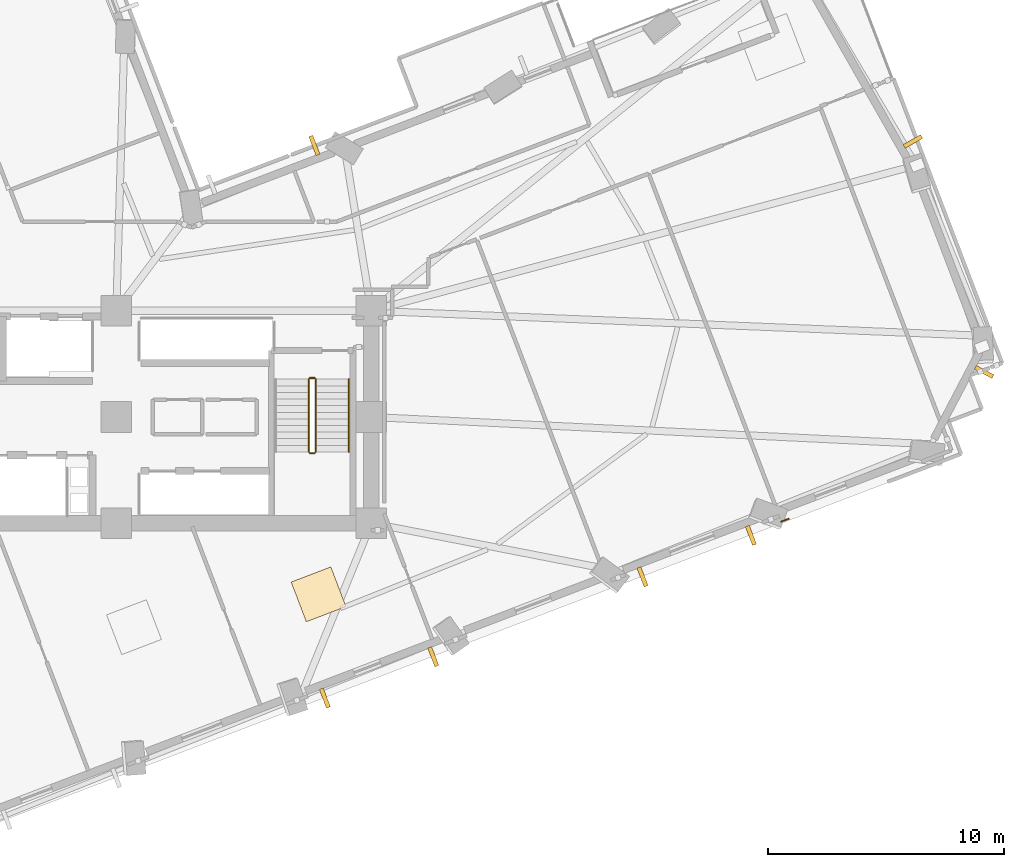
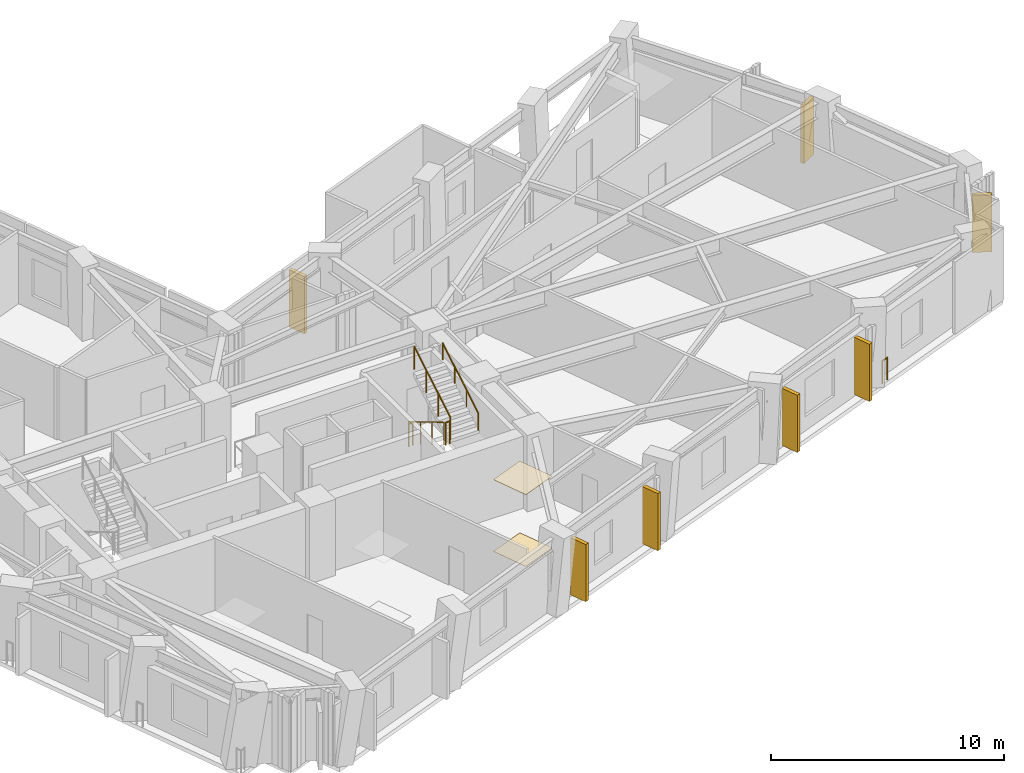
# One storey, part 14 of 15: 7 shading devices, 6 railings, 2 coverings.
"""IFC4 building model written with IfcOpenShell, lengths in metres."""

from ifc_helpers import new_model, si_unit, direction, frame, origin, origin_2d, place, context, subcontext, project, spatial, rectangle, circle, extrude, material, layer, layer_set, type_object, element, save


model = new_model("IFC4")

# Units and contexts
model_context = context("Model", 3, precision=1e-05, world=origin(), true_north=direction((0.0, 1.0)))
body_context = subcontext(model_context, "Body", "Model", "MODEL_VIEW")
ifc_project = project(units=[si_unit("LENGTHUNIT", "METRE"), si_unit("AREAUNIT", "SQUARE_METRE"), si_unit("VOLUMEUNIT", "CUBIC_METRE"), si_unit("PLANEANGLEUNIT", "RADIAN"), si_unit("MASSUNIT", "GRAM", prefix="KILO")], contexts=[model_context])

# Site, building, storey
site_placement = place(None, origin())
site = spatial("IfcSite", under=ifc_project, at=site_placement, CompositionType="ELEMENT")
building_placement = place(site_placement, origin())
building = spatial("IfcBuilding", under=site, at=building_placement, Name="Gaonmaruhae Medical Tower", CompositionType="ELEMENT")
storey_placement = place(building_placement, frame((0.0, 0.0, 112.39990234375)))
storey = spatial("IfcBuildingStorey", under=building, at=storey_placement, Name="L26", CompositionType="ELEMENT", Elevation=112.39990234375)

# Coverings
ifc_material_1 = material(Name="Acoustic mineral ceiling tile", Category="finish")
ifc_layer_1 = layer(ifc_material_1, 0.02490234375)
ifc_layer_set_1 = layer_set([ifc_layer_1], Name="Acoustic mineral ceiling tile")
covering_type_1 = type_object("IfcCoveringType", Name="CLG-01 Antimicrobial Acoustic Mineral Ceiling", PredefinedType="CEILING", material=ifc_layer_set_1)
covering_1_placement = place(storey_placement, frame((33.369384765625, 4.78662109375, 3.755126953125), z_axis=(0.0, 0.0, 1.0), x_axis=(0.934204474321, 0.35673799932, 0.0)))
element("IfcCovering", 1, at=covering_1_placement, inside=storey, type_object=covering_type_1, Name="L26 Clinical Room Acoustic Ceiling 4", PredefinedType="CEILING", context=body_context, shape_type="SweptSolid", body=[
    extrude(rectangle(XDim=1.800048828125, YDim=1.800048828125, at=origin_2d()), origin(), (0.0, 0.0, 1.0), 0.02490234375),
])
ifc_material_2 = material(Name="Seamless clinical vinyl flooring", Category="finish")
ifc_layer_2 = layer(ifc_material_2, 0.014892578125)
ifc_layer_set_2 = layer_set([ifc_layer_2], Name="Seamless clinical vinyl flooring")
covering_type_2 = type_object("IfcCoveringType", Name="FLR-01 Seamless Clinical Antistatic Vinyl Flooring", PredefinedType="FLOORING", material=ifc_layer_set_2)
covering_2_placement = place(storey_placement, frame((33.369384765625, 4.78662109375, 0.0), z_axis=(0.0, 0.0, 1.0), x_axis=(0.934204474321, 0.35673799932, 0.0)))
element("IfcCovering", 2, at=covering_2_placement, inside=storey, type_object=covering_type_2, Name="L26 Clinical Room Vinyl Flooring 4", PredefinedType="FLOORING", context=body_context, shape_type="SweptSolid", body=[
    extrude(rectangle(XDim=1.800048828125, YDim=1.800048828125, at=origin_2d()), origin(), (0.0, 0.0, 1.0), 0.014892578125),
])

# Railings
ifc_material_3 = material(Name="Stainless steel 316L and laminated safety glass", Category="steel")
ifc_layer_3 = layer(ifc_material_3, 0.080078125)
ifc_layer_set_3 = layer_set([ifc_layer_3], Name="Stainless steel 316L and laminated safety glass")
railing_type_1 = type_object("IfcRailingType", Name="GD-120 Outdoor Terrace Safety Glass & Steel Balustrade", PredefinedType="BALUSTRADE", material=ifc_layer_set_3)
railing_1_placement = place(storey_placement, frame((53.281494140625, 7.984619140625, 0.0)))
element("IfcRailing", 3, at=railing_1_placement, inside=storey, type_object=railing_type_1, Name="L26 Perimeter Slab Edge Safety Balustrade 03", PredefinedType="BALUSTRADE", context=body_context, shape_type="SweptSolid", body=[
    extrude(circle(Radius=0.02392578125, at=origin_2d()), frame((0.0, 0.0, 1.17578125), z_axis=(-0.93436223812, -0.356324582334, 0.0), x_axis=(0.356324582334, -0.93436223812, 0.0)), (0.0, 0.0, 1.0), 0.339111328125),
    extrude(circle(Radius=0.02099609375, at=origin_2d()), origin(), (0.0, 0.0, 1.0), 1.15185546875),
    extrude(circle(Radius=0.02099609375, at=origin_2d()), frame((-0.31689453125, -0.120849609375, 0.0)), (0.0, 0.0, 1.0), 1.15185546875),
])
ifc_material_4 = material(Name="Stainless steel 304 handrail", Category="steel")
railing_type_2 = type_object("IfcRailingType", Name="HR-092 Continuous Stainless Steel Stair Handrail", PredefinedType="HANDRAIL", material=ifc_material_4)
railing_2_placement = place(storey_placement, frame((34.64990234375, 10.820068359375, 2.166748046875)))
element("IfcRailing", 4, at=railing_2_placement, inside=storey, type_object=railing_type_2, Name="L26 ST-02 stair handrail 2", PredefinedType="HANDRAIL", context=body_context, shape_type="SweptSolid", body=[
    extrude(circle(Radius=0.02392578125, at=origin_2d()), frame((0.0, 0.0, 0.8759765625), z_axis=(0.0, 0.859290745958, 0.51148745235), x_axis=(-1.0, 0.0, 0.0)), (0.0, 0.0, 1.0), 3.584228515625),
    extrude(circle(Radius=0.02099609375, at=origin_2d()), origin(), (0.0, 0.0, 1.0), 0.851806640625),
    extrude(circle(Radius=0.02099609375, at=origin_2d()), frame((0.0, 1.026611328125, 0.611083984375)), (0.0, 0.0, 1.0), 0.851806640625),
    extrude(circle(Radius=0.02099609375, at=origin_2d()), frame((0.0, 2.05322265625, 1.22216796875)), (0.0, 0.0, 1.0), 0.851806640625),
    extrude(circle(Radius=0.02099609375, at=origin_2d()), frame((0.0, 3.079833984375, 1.833251953125)), (0.0, 0.0, 1.0), 0.851806640625),
])

# Shading devices
ifc_material_5 = material(Name="Pigmented coral precast concrete C45/55", Category="concrete")
shading_device_type = type_object("IfcShadingDeviceType", Name="SD-FIN1 Tower Vertical Coral Precast Shading Fin", PredefinedType="USERDEFINED", material=ifc_material_5)
for number, where, z_axis, x_axis, name in (
    (5, (38.225341796875, 2.144287109375, 0.08251953125), (0.0, 0.0, 1.0), (-0.934204474321, -0.35673799932, 0.0), "L26 Vertical Coral Precast Shading Fin S03"),
    (6, (33.634521484375, 0.391357421875, 0.08251953125), (0.0, 0.0, 1.0), (-0.934204474321, -0.35673799932, 0.0), "L26 Vertical Coral Precast Shading Fin S03B"),
    (7, (51.685546875, 7.284423828125, 0.08251953125), (0.0, 0.0, 1.0), (-0.934204474321, -0.35673799932, 0.0), "L26 Vertical Coral Precast Shading Fin S05"),
    (8, (47.091064453125, 5.52978515625, 0.08251953125), (0.0, 0.0, 1.0), (-0.934204474321, -0.35673799932, 0.0), "L26 Vertical Coral Precast Shading Fin S05B"),
    (9, (61.5654296875, 14.207763671875, 0.08251953125), (0.0, 0.0, 1.0), (-0.46410013706, -0.885782740169, 0.0), "L26 Vertical Coral Precast Shading Fin S07"),
    (10, (58.54638671875, 23.97021484375, 0.08251953125), (0.0, 0.0, 1.0), (0.495322218001, -0.868709330187, 0.0), "L26 Vertical Coral Precast Shading Fin E02B"),
    (11, (33.193359375, 23.804443359375, 0.08251953125), (0.0, 0.0, 1.0), (0.934204474321, 0.35673799932, 0.0), "L26 Vertical Coral Precast Shading Fin EN03B"),
):
    element("IfcShadingDevice", number, at=place(storey_placement, frame(where, z_axis=z_axis, x_axis=x_axis)), inside=storey, type_object=shading_device_type, Name=name, ObjectType="FIN", PredefinedType="USERDEFINED", context=body_context, shape_type="SweptSolid", body=[
        extrude(rectangle(XDim=0.179931640625, YDim=0.85009765625, at=origin_2d()), origin(), (0.0, 0.0, 1.0), 3.0),
    ])

# Railings
ifc_material_6 = material(Name="Stainless steel 304 balustrade", Category="steel")
railing_type_3 = type_object("IfcRailingType", Name="SG-112 Stair Well & Ramp Void Safety Balustrade", PredefinedType="BALUSTRADE", material=ifc_material_6)
railing_3_placement = place(storey_placement, frame((32.949951171875, 13.89990234375, 0.166748046875)))
element("IfcRailing", 12, at=railing_3_placement, inside=storey, type_object=railing_type_3, Name="L26 ST-02 stair guard 1", PredefinedType="BALUSTRADE", context=body_context, shape_type="SweptSolid", body=[
    extrude(circle(Radius=0.02392578125, at=origin_2d()), frame((0.0, 0.0, 1.17578125), z_axis=(0.0, -0.859290745958, 0.51148745235), x_axis=(1.0, 0.0, 0.0)), (0.0, 0.0, 1.0), 3.584228515625),
    extrude(circle(Radius=0.02099609375, at=origin_2d()), origin(), (0.0, 0.0, 1.0), 1.15185546875),
    extrude(circle(Radius=0.02099609375, at=origin_2d()), frame((0.0, -1.026611328125, 0.611083984375)), (0.0, 0.0, 1.0), 1.15185546875),
    extrude(circle(Radius=0.02099609375, at=origin_2d()), frame((0.0, -2.05322265625, 1.22216796875)), (0.0, 0.0, 1.0), 1.15185546875),
    extrude(circle(Radius=0.02099609375, at=origin_2d()), frame((0.0, -3.079833984375, 1.833251953125)), (0.0, 0.0, 1.0), 1.15185546875),
])
railing_4_placement = place(storey_placement, frame((33.0, 10.77001953125, 2.0)))
element("IfcRailing", 13, at=railing_4_placement, inside=storey, type_object=railing_type_3, Name="L26 ST-02 stair guard 2", PredefinedType="BALUSTRADE", context=body_context, shape_type="SweptSolid", body=[
    extrude(circle(Radius=0.02392578125, at=origin_2d()), frame((0.0, 0.0, 1.17578125), z_axis=(1.0, 0.0, 0.0), x_axis=(0.0, 1.0, 0.0)), (0.0, 0.0, 1.0), 0.199951171875),
    extrude(circle(Radius=0.02099609375, at=origin_2d()), origin(), (0.0, 0.0, 1.0), 1.15185546875),
    extrude(circle(Radius=0.02099609375, at=origin_2d()), frame((0.199951171875, 0.0, 0.0)), (0.0, 0.0, 1.0), 1.15185546875),
])
railing_5_placement = place(storey_placement, frame((33.25, 10.820068359375, 2.166748046875)))
element("IfcRailing", 14, at=railing_5_placement, inside=storey, type_object=railing_type_3, Name="L26 ST-02 stair guard 3", PredefinedType="BALUSTRADE", context=body_context, shape_type="SweptSolid", body=[
    extrude(circle(Radius=0.02392578125, at=origin_2d()), frame((0.0, 0.0, 1.17578125), z_axis=(0.0, 0.859290745958, 0.51148745235), x_axis=(-1.0, 0.0, 0.0)), (0.0, 0.0, 1.0), 3.584228515625),
    extrude(circle(Radius=0.02099609375, at=origin_2d()), origin(), (0.0, 0.0, 1.0), 1.15185546875),
    extrude(circle(Radius=0.02099609375, at=origin_2d()), frame((0.0, 1.026611328125, 0.611083984375)), (0.0, 0.0, 1.0), 1.15185546875),
    extrude(circle(Radius=0.02099609375, at=origin_2d()), frame((0.0, 2.05322265625, 1.22216796875)), (0.0, 0.0, 1.0), 1.15185546875),
    extrude(circle(Radius=0.02099609375, at=origin_2d()), frame((0.0, 3.079833984375, 1.833251953125)), (0.0, 0.0, 1.0), 1.15185546875),
])
railing_6_placement = place(storey_placement, frame((33.0, 13.949951171875, 0.0)))
element("IfcRailing", 15, at=railing_6_placement, inside=storey, type_object=railing_type_3, Name="L26 ST-02 stair guard 4", PredefinedType="BALUSTRADE", context=body_context, shape_type="SweptSolid", body=[
    extrude(circle(Radius=0.02392578125, at=origin_2d()), frame((0.0, 0.0, 1.17578125), z_axis=(1.0, 0.0, 0.0), x_axis=(0.0, 1.0, 0.0)), (0.0, 0.0, 1.0), 0.199951171875),
    extrude(circle(Radius=0.02099609375, at=origin_2d()), origin(), (0.0, 0.0, 1.0), 1.15185546875),
    extrude(circle(Radius=0.02099609375, at=origin_2d()), frame((0.199951171875, 0.0, 0.0)), (0.0, 0.0, 1.0), 1.15185546875),
])

save(model, "model.ifc")
